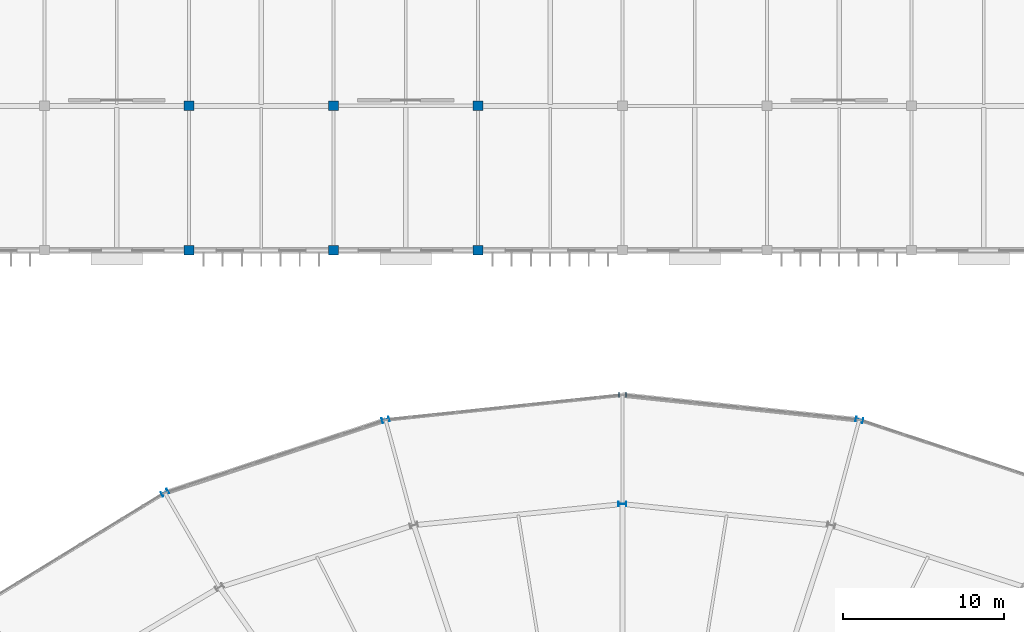
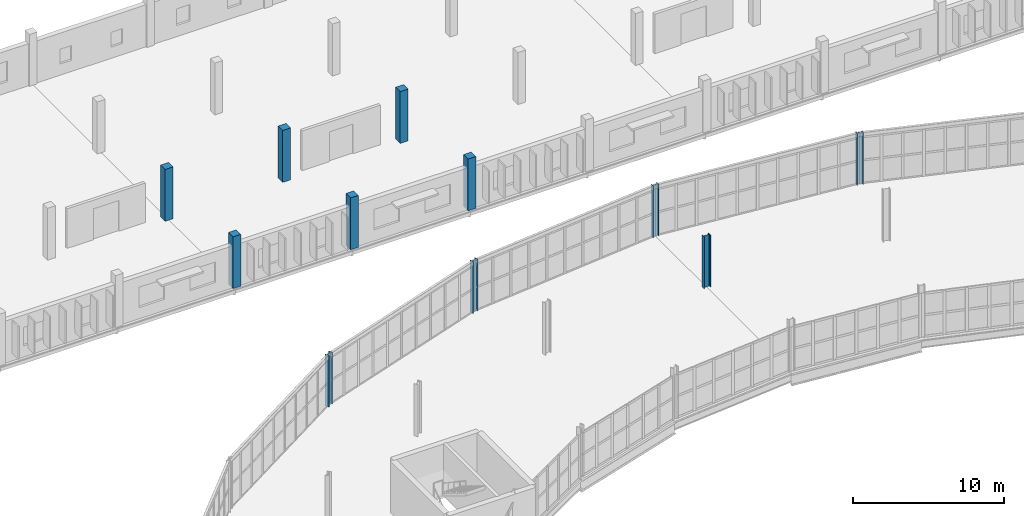
# One storey, part 30 of 161: 11 columns.
"""IFC4 building model written with IfcOpenShell, lengths in metres."""

import ifcopenshell
import ifcopenshell.guid

model = None  # the IFC model being written
_history = None  # IfcOwnerHistory: only IFC2X3 demands one
_inside = {}  # id of a spatial element -> (the spatial element, [elements in it])
_under = {}  # id of a project, library or spatial element -> (it, [spatial elements below it])
_declared = {}  # id of a project -> (the project, [libraries it declares])
_typed = {}  # id of a type object -> (the type object, [elements of that type])
_made_of = {}  # id of a material, layer set ... -> (it, [elements and type objects made of it])


def new_model(schema):
    """Start an empty IFC model of exactly this schema.

    Asked for "IFC4X3", IfcOpenShell would pick the latest addendum, in which some entities
    have other attributes; the version numbers below select the first issue.
    IFC2X3 requires an IfcOwnerHistory on every rooted entity: one is made here for all.
    """
    global model, _history
    if schema == "IFC4X3":
        model = ifcopenshell.file(schema_version=(4, 3, 0, 0))
    else:
        model = ifcopenshell.file(schema=schema)
    _inside.clear()
    _under.clear()
    _declared.clear()
    _typed.clear()
    _made_of.clear()
    _history = None
    if model.schema == "IFC2X3":
        org = make("IfcOrganization", Name="unknown")
        user = make(
            "IfcPersonAndOrganization",
            ThePerson=make("IfcPerson", FamilyName="unknown"),
            TheOrganization=org,
        )
        app = make(
            "IfcApplication",
            ApplicationDeveloper=org,
            Version="unknown",
            ApplicationFullName="unknown",
            ApplicationIdentifier="unknown",
        )
        _history = make(
            "IfcOwnerHistory",
            OwningUser=user,
            OwningApplication=app,
            ChangeAction="ADDED",
            CreationDate=0,
        )
    return model


def make(cls, **values):
    """One entity of the class cls with the attributes given. An attribute that is None is left unset."""
    return model.create_entity(
        cls, **{name: value for name, value in values.items() if value is not None}
    )


def rooted(cls, **values):
    """An entity with a GlobalId (a new one), such as an element, a storey or a relation."""
    return make(cls, GlobalId=ifcopenshell.guid.new(), OwnerHistory=_history, **values)


def si_unit(unit_type, name, prefix=None):
    """IfcSIUnit, for example si_unit("LENGTHUNIT", "METRE", prefix="MILLI")."""
    return make("IfcSIUnit", UnitType=unit_type, Prefix=prefix, Name=name)


def assignment(units):
    """IfcUnitAssignment: the units of a project."""
    return None if units is None else make("IfcUnitAssignment", Units=units)


def point(xyz):
    """IfcCartesianPoint."""
    return None if xyz is None else make("IfcCartesianPoint", Coordinates=xyz)


def direction(xyz):
    """IfcDirection."""
    return None if xyz is None else make("IfcDirection", DirectionRatios=xyz)


def frame(location, z_axis=None, x_axis=None):
    """IfcAxis2Placement3D, a coordinate frame: its origin and axes. An axis left out is left unset."""
    return make(
        "IfcAxis2Placement3D",
        Location=point(location),
        Axis=direction(z_axis),
        RefDirection=direction(x_axis),
    )


def frame_2d(location, x_axis=None):
    """IfcAxis2Placement2D, a coordinate frame in the plane: its origin and x axis."""
    return make(
        "IfcAxis2Placement2D", Location=point(location), RefDirection=direction(x_axis)
    )


def origin():
    """The frame at (0, 0, 0) with its axes left unset."""
    return frame((0.0, 0.0, 0.0))


def origin_2d():
    """The frame at (0, 0) in the plane with its x axis left unset."""
    return frame_2d((0.0, 0.0))


def place(relative_to, where):
    """IfcLocalPlacement: puts the frame where relative to a parent placement (None: the world)."""
    return make(
        "IfcLocalPlacement", PlacementRelTo=relative_to, RelativePlacement=where
    )


def context(
    kind, dimensions, precision=None, world=None, true_north=None, identifier=None
):
    """IfcGeometricRepresentationContext, for example the 3D "Model" context."""
    return make(
        "IfcGeometricRepresentationContext",
        ContextIdentifier=identifier,
        ContextType=kind,
        CoordinateSpaceDimension=dimensions,
        Precision=precision,
        WorldCoordinateSystem=world,
        TrueNorth=true_north,
    )


def subcontext(parent, identifier, kind, view, scale=None):
    """IfcGeometricRepresentationSubContext, for example "Body" below "Model"."""
    return make(
        "IfcGeometricRepresentationSubContext",
        ContextIdentifier=identifier,
        ContextType=kind,
        ParentContext=parent,
        TargetScale=scale,
        TargetView=view,
    )


def project(units=None, contexts=None):
    """IfcProject with its units and contexts."""
    return rooted(
        "IfcProject",
        Name="project",
        RepresentationContexts=contexts,
        UnitsInContext=assignment(units),
    )


def spatial(cls, under=None, at=None, **own):
    """A site, building, storey or space (cls), placed at a placement, below another one or the project."""
    s = rooted(cls, ObjectPlacement=at, **own)
    if under is not None:
        _under.setdefault(under.id(), (under, []))[1].append(s)
    return s


def profile(cls, at=None, kind="AREA", **sizes):
    """A parametric profile (cls). Its sizes go by their IFC names, for example OverallWidth=200.0."""
    return make(cls, ProfileType=kind, Position=at, **sizes)


def rectangle(**sizes):
    """IfcRectangleProfileDef."""
    return profile("IfcRectangleProfileDef", **sizes)


def i_section(**sizes):
    """IfcIShapeProfileDef."""
    return profile("IfcIShapeProfileDef", **sizes)


def extrude(swept, where, along, depth):
    """IfcExtrudedAreaSolid: the profile swept, set in the frame where, extruded along a direction by depth."""
    return make(
        "IfcExtrudedAreaSolid",
        SweptArea=swept,
        Position=where,
        ExtrudedDirection=direction(along),
        Depth=depth,
    )


def shape(context_of_items, identifier, shape_type, items):
    """IfcShapeRepresentation: the items that make up one representation, for example the "Body"."""
    return make(
        "IfcShapeRepresentation",
        ContextOfItems=context_of_items,
        RepresentationIdentifier=identifier,
        RepresentationType=shape_type,
        Items=items,
    )


def material(Name=None, Category=None):
    """IfcMaterial."""
    return make("IfcMaterial", Name=Name, Category=Category)


def material_profile(
    of_material, cross_section, Name=None, Category=None, Priority=None
):
    """IfcMaterialProfile: a cross section and its material."""
    return make(
        "IfcMaterialProfile",
        Name=Name,
        Material=of_material,
        Profile=cross_section,
        Priority=Priority,
        Category=Category,
    )


def profile_set(profiles, Name=None, composite=None):
    """IfcMaterialProfileSet."""
    return make(
        "IfcMaterialProfileSet",
        Name=Name,
        MaterialProfiles=profiles,
        CompositeProfile=composite,
    )


def made_of(thing, what):
    """Note that an element or type object is made of a material, layer set ...; save() writes the relation."""
    if what is not None:
        _made_of.setdefault(what.id(), (what, []))[1].append(thing)
    return thing


def type_object(cls, material=None, **own):
    """A type object (cls), such as IfcWallType, which elements share."""
    return made_of(rooted(cls, **own), material)


def element(
    cls,
    number,
    at=None,
    inside=None,
    cuts=None,
    type_object=None,
    material=None,
    context=None,
    identifier="Body",
    shape_type=None,
    held_by="IfcProductDefinitionShape",
    body=None,
    shapes=None,
    **own,
):
    """One element of the class cls, such as IfcWall. Its Tag is "e" and its number.

    at: its placement. inside: the storey or other place that contains it. cuts: it is an
    opening in that element (IfcRelVoidsElement). A single representation is given by context,
    identifier, shape_type and body (its items); several are given by shapes. held_by: the class
    of the entity that holds the representations. save() writes the other relations.
    """
    e = rooted(cls, Tag="e%d" % number, ObjectPlacement=at, **own)
    if body is not None:
        shapes = [shape(context, identifier, shape_type, body)]
    if shapes is not None:
        e.Representation = make(held_by, Representations=shapes)
    if inside is not None:
        _inside.setdefault(inside.id(), (inside, []))[1].append(e)
    if cuts is not None:
        rooted(
            "IfcRelVoidsElement", RelatingBuildingElement=cuts, RelatedOpeningElement=e
        )
    if type_object is not None:
        _typed.setdefault(type_object.id(), (type_object, []))[1].append(e)
    return made_of(e, material)


def aggregate(whole, parts):
    """IfcRelAggregates: a whole, such as a stair, and the parts it consists of."""
    return rooted("IfcRelAggregates", RelatingObject=whole, RelatedObjects=parts)


def save(model, path):
    """Write the relations noted so far, then the file.

    IfcRelAggregates (storeys below a building ...), IfcRelContainedInSpatialStructure (elements
    in a storey), IfcRelDefinesByType, IfcRelAssociatesMaterial and IfcRelDeclares: one each for
    every whole, place, type object, material and project.
    """
    for whole, parts in _under.values():
        aggregate(whole, parts)
    for where, things in _inside.values():
        rooted(
            "IfcRelContainedInSpatialStructure",
            RelatedElements=things,
            RelatingStructure=where,
        )
    for kind, things in _typed.values():
        rooted("IfcRelDefinesByType", RelatedObjects=things, RelatingType=kind)
    for what, things in _made_of.values():
        rooted("IfcRelAssociatesMaterial", RelatedObjects=things, RelatingMaterial=what)
    for by, libraries in _declared.values():
        rooted("IfcRelDeclares", RelatingContext=by, RelatedDefinitions=libraries)
    model.write(path)


model = new_model("IFC4")

# Units and contexts
model_context = context("Model", 3, precision=1e-05, world=origin(), true_north=direction((0.0, 1.0)))
body_context = subcontext(model_context, "Body", "Model", "MODEL_VIEW")
ifc_project = project(units=[si_unit("LENGTHUNIT", "METRE"), si_unit("AREAUNIT", "SQUARE_METRE"), si_unit("VOLUMEUNIT", "CUBIC_METRE"), si_unit("PLANEANGLEUNIT", "RADIAN"), si_unit("MASSUNIT", "GRAM", prefix="KILO")], contexts=[model_context])

# Site, building, storey
site_placement = place(None, origin())
site = spatial("IfcSite", under=ifc_project, at=site_placement, CompositionType="ELEMENT")
building_placement = place(site_placement, origin())
building = spatial("IfcBuilding", under=site, at=building_placement, Name="Kildeholm Park Wholesale Market", CompositionType="ELEMENT")
storey_placement = place(building_placement, frame((0.0, 0.0, 5.39990234375)))
storey = spatial("IfcBuildingStorey", under=building, at=storey_placement, Name="L01", CompositionType="ELEMENT", Elevation=5.39990234375)

# Columns
ifc_material_1 = material(Name="Concrete C40/50", Category="concrete")
ifc_material_profile_1 = material_profile(ifc_material_1, rectangle(XDim=0.60009765625, YDim=0.60009765625, at=origin_2d()), Name="RC 600x600")
ifc_profile_set_1 = profile_set([ifc_material_profile_1], Name="Concrete C40/50")
column_type_1 = type_object("IfcColumnType", Name="Column C-R02 RC 600x600", PredefinedType="COLUMN", material=ifc_profile_set_1)
for number, where, z_axis, x_axis, name in (
    (1, (72.0, 144.0, 0.0), (0.0, 0.0, 1.0), (1.0, 0.0, 0.0), "Column V4-072-144 L01 COL-0498"),
    (2, (72.0, 153.0, 0.0), (0.0, 0.0, 1.0), (1.0, 0.0, 0.0), "Column V4-072-153 L01 COL-0500"),
    (3, (81.0, 144.0, 0.0), (0.0, 0.0, 1.0), (1.0, 0.0, 0.0), "Column V4-081-144 L01 COL-0509"),
    (4, (81.0, 153.0, 0.0), (0.0, 0.0, 1.0), (1.0, 0.0, 0.0), "Column V4-081-153 L01 COL-0511"),
    (5, (90.0, 144.0, 0.0), (0.0, 0.0, 1.0), (1.0, 0.0, 0.0), "Column V4-090-144 L01 COL-0520"),
    (6, (90.0, 153.0, 0.0), (0.0, 0.0, 1.0), (1.0, 0.0, 0.0), "Column V4-090-153 L01 COL-0522"),
):
    element("IfcColumn", number, at=place(storey_placement, frame(where, z_axis=z_axis, x_axis=x_axis)), inside=storey, type_object=column_type_1, Name=name, PredefinedType="COLUMN", context=body_context, shape_type="SweptSolid", body=[
        extrude(rectangle(XDim=0.60009765625, YDim=0.60009765625, at=origin_2d()), origin(), (0.0, 0.0, 1.0), 4.2001953125),
    ])
ifc_material_2 = material(Name="Steel S355", Category="steel")
ifc_material_profile_2 = material_profile(ifc_material_2, i_section(OverallWidth=0.300048828125, OverallDepth=0.449951171875, WebThickness=0.013916015625, FlangeThickness=0.02587890625, FilletRadius=0.027099609375, at=origin_2d()), Name="HEB 450")
ifc_profile_set_2 = profile_set([ifc_material_profile_2], Name="Steel S355")
column_type_2 = type_object("IfcColumnType", Name="Column C-S06 HEB 450", PredefinedType="COLUMN", material=ifc_profile_set_2)
for number, where, z_axis, x_axis, name in (
    (7, (113.7529296875, 133.449951171875, 0.0), (0.0, 0.0, 1.0), (0.258819045103, 0.965925826289, 0.0), "Column V1-OT-05 L01 COL-0053"),
    (8, (99.0, 135.0, 0.0), (0.0, 0.0, 1.0), (0.0, 1.0, 0.0), "Column V1-OT-06 L01 COL-0062"),
    (9, (84.2470703125, 133.449951171875, 0.0), (0.0, 0.0, 1.0), (-0.258819045103, 0.965925826289, 0.0), "Column V1-OT-07 L01 COL-0071"),
    (10, (70.5, 128.904052734375, 0.0), (0.0, 0.0, 1.0), (-0.5, 0.866025403784, 0.0), "Column V1-OT-08 L01 COL-0080"),
):
    element("IfcColumn", number, at=place(storey_placement, frame(where, z_axis=z_axis, x_axis=x_axis)), inside=storey, type_object=column_type_2, Name=name, PredefinedType="COLUMN", context=body_context, shape_type="SweptSolid", body=[
        extrude(i_section(OverallWidth=0.300048828125, OverallDepth=0.449951171875, WebThickness=0.013916015625, FlangeThickness=0.02587890625, FilletRadius=0.027099609375, at=origin_2d()), origin(), (0.0, 0.0, 1.0), 4.18017578125),
    ])
ifc_material_profile_3 = material_profile(ifc_material_2, i_section(OverallWidth=0.300048828125, OverallDepth=0.5, WebThickness=0.014404296875, FlangeThickness=0.028076171875, FilletRadius=0.027099609375, at=origin_2d()), Name="HEB 500")
ifc_profile_set_3 = profile_set([ifc_material_profile_3], Name="Steel S355")
column_type_3 = type_object("IfcColumnType", Name="Column C-S07 HEB 500", PredefinedType="COLUMN", material=ifc_profile_set_3)
column_placement = place(storey_placement, frame((99.0, 128.199951171875, 0.0), z_axis=(0.0, 0.0, 1.0), x_axis=(0.0, 1.0, 0.0)))
element("IfcColumn", 11, at=column_placement, inside=storey, type_object=column_type_3, Name="Column V1-MD-06 L01 COL-0059", PredefinedType="COLUMN", context=body_context, shape_type="SweptSolid", body=[
    extrude(i_section(OverallWidth=0.300048828125, OverallDepth=0.5, WebThickness=0.014404296875, FlangeThickness=0.028076171875, FilletRadius=0.027099609375, at=origin_2d()), origin(), (0.0, 0.0, 1.0), 4.2001953125),
])

save(model, "model.ifc")
